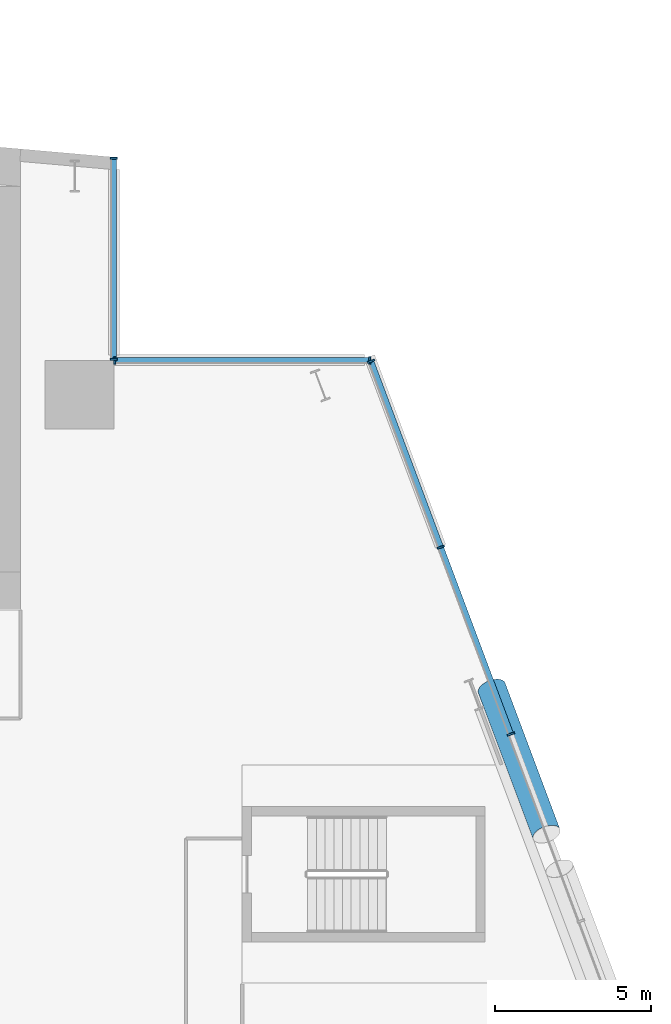
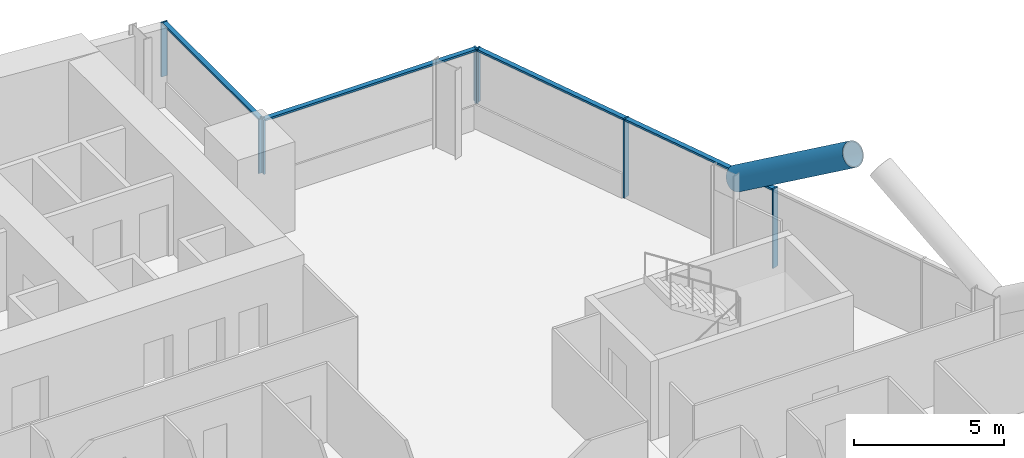
# One storey, part 10 of 28: 12 members, 3 elements without a shape of their own.
"""IFC4 building model written with IfcOpenShell, lengths in metres."""

import ifcopenshell
import ifcopenshell.guid

model = None  # the IFC model being written
_history = None  # IfcOwnerHistory: only IFC2X3 demands one
_inside = {}  # id of a spatial element -> (the spatial element, [elements in it])
_under = {}  # id of a project, library or spatial element -> (it, [spatial elements below it])
_declared = {}  # id of a project -> (the project, [libraries it declares])
_typed = {}  # id of a type object -> (the type object, [elements of that type])
_made_of = {}  # id of a material, layer set ... -> (it, [elements and type objects made of it])


def new_model(schema):
    """Start an empty IFC model of exactly this schema.

    Asked for "IFC4X3", IfcOpenShell would pick the latest addendum, in which some entities
    have other attributes; the version numbers below select the first issue.
    IFC2X3 requires an IfcOwnerHistory on every rooted entity: one is made here for all.
    """
    global model, _history
    if schema == "IFC4X3":
        model = ifcopenshell.file(schema_version=(4, 3, 0, 0))
    else:
        model = ifcopenshell.file(schema=schema)
    _inside.clear()
    _under.clear()
    _declared.clear()
    _typed.clear()
    _made_of.clear()
    _history = None
    if model.schema == "IFC2X3":
        org = make("IfcOrganization", Name="unknown")
        user = make(
            "IfcPersonAndOrganization",
            ThePerson=make("IfcPerson", FamilyName="unknown"),
            TheOrganization=org,
        )
        app = make(
            "IfcApplication",
            ApplicationDeveloper=org,
            Version="unknown",
            ApplicationFullName="unknown",
            ApplicationIdentifier="unknown",
        )
        _history = make(
            "IfcOwnerHistory",
            OwningUser=user,
            OwningApplication=app,
            ChangeAction="ADDED",
            CreationDate=0,
        )
    return model


def make(cls, **values):
    """One entity of the class cls with the attributes given. An attribute that is None is left unset."""
    return model.create_entity(
        cls, **{name: value for name, value in values.items() if value is not None}
    )


def rooted(cls, **values):
    """An entity with a GlobalId (a new one), such as an element, a storey or a relation."""
    return make(cls, GlobalId=ifcopenshell.guid.new(), OwnerHistory=_history, **values)


def si_unit(unit_type, name, prefix=None):
    """IfcSIUnit, for example si_unit("LENGTHUNIT", "METRE", prefix="MILLI")."""
    return make("IfcSIUnit", UnitType=unit_type, Prefix=prefix, Name=name)


def assignment(units):
    """IfcUnitAssignment: the units of a project."""
    return None if units is None else make("IfcUnitAssignment", Units=units)


def point(xyz):
    """IfcCartesianPoint."""
    return None if xyz is None else make("IfcCartesianPoint", Coordinates=xyz)


def direction(xyz):
    """IfcDirection."""
    return None if xyz is None else make("IfcDirection", DirectionRatios=xyz)


def frame(location, z_axis=None, x_axis=None):
    """IfcAxis2Placement3D, a coordinate frame: its origin and axes. An axis left out is left unset."""
    return make(
        "IfcAxis2Placement3D",
        Location=point(location),
        Axis=direction(z_axis),
        RefDirection=direction(x_axis),
    )


def frame_2d(location, x_axis=None):
    """IfcAxis2Placement2D, a coordinate frame in the plane: its origin and x axis."""
    return make(
        "IfcAxis2Placement2D", Location=point(location), RefDirection=direction(x_axis)
    )


def origin():
    """The frame at (0, 0, 0) with its axes left unset."""
    return frame((0.0, 0.0, 0.0))


def origin_2d():
    """The frame at (0, 0) in the plane with its x axis left unset."""
    return frame_2d((0.0, 0.0))


def place(relative_to, where):
    """IfcLocalPlacement: puts the frame where relative to a parent placement (None: the world)."""
    return make(
        "IfcLocalPlacement", PlacementRelTo=relative_to, RelativePlacement=where
    )


def context(
    kind, dimensions, precision=None, world=None, true_north=None, identifier=None
):
    """IfcGeometricRepresentationContext, for example the 3D "Model" context."""
    return make(
        "IfcGeometricRepresentationContext",
        ContextIdentifier=identifier,
        ContextType=kind,
        CoordinateSpaceDimension=dimensions,
        Precision=precision,
        WorldCoordinateSystem=world,
        TrueNorth=true_north,
    )


def subcontext(parent, identifier, kind, view, scale=None):
    """IfcGeometricRepresentationSubContext, for example "Body" below "Model"."""
    return make(
        "IfcGeometricRepresentationSubContext",
        ContextIdentifier=identifier,
        ContextType=kind,
        ParentContext=parent,
        TargetScale=scale,
        TargetView=view,
    )


def project(units=None, contexts=None):
    """IfcProject with its units and contexts."""
    return rooted(
        "IfcProject",
        Name="project",
        RepresentationContexts=contexts,
        UnitsInContext=assignment(units),
    )


def spatial(cls, under=None, at=None, **own):
    """A site, building, storey or space (cls), placed at a placement, below another one or the project."""
    s = rooted(cls, ObjectPlacement=at, **own)
    if under is not None:
        _under.setdefault(under.id(), (under, []))[1].append(s)
    return s


def profile(cls, at=None, kind="AREA", **sizes):
    """A parametric profile (cls). Its sizes go by their IFC names, for example OverallWidth=200.0."""
    return make(cls, ProfileType=kind, Position=at, **sizes)


def rectangle(**sizes):
    """IfcRectangleProfileDef."""
    return profile("IfcRectangleProfileDef", **sizes)


def hollow_circle(**sizes):
    """IfcCircleHollowProfileDef."""
    return profile("IfcCircleHollowProfileDef", **sizes)


def extrude(swept, where, along, depth):
    """IfcExtrudedAreaSolid: the profile swept, set in the frame where, extruded along a direction by depth."""
    return make(
        "IfcExtrudedAreaSolid",
        SweptArea=swept,
        Position=where,
        ExtrudedDirection=direction(along),
        Depth=depth,
    )


def shape(context_of_items, identifier, shape_type, items):
    """IfcShapeRepresentation: the items that make up one representation, for example the "Body"."""
    return make(
        "IfcShapeRepresentation",
        ContextOfItems=context_of_items,
        RepresentationIdentifier=identifier,
        RepresentationType=shape_type,
        Items=items,
    )


def material(Name=None, Category=None):
    """IfcMaterial."""
    return make("IfcMaterial", Name=Name, Category=Category)


def material_profile(
    of_material, cross_section, Name=None, Category=None, Priority=None
):
    """IfcMaterialProfile: a cross section and its material."""
    return make(
        "IfcMaterialProfile",
        Name=Name,
        Material=of_material,
        Profile=cross_section,
        Priority=Priority,
        Category=Category,
    )


def profile_set(profiles, Name=None, composite=None):
    """IfcMaterialProfileSet."""
    return make(
        "IfcMaterialProfileSet",
        Name=Name,
        MaterialProfiles=profiles,
        CompositeProfile=composite,
    )


def made_of(thing, what):
    """Note that an element or type object is made of a material, layer set ...; save() writes the relation."""
    if what is not None:
        _made_of.setdefault(what.id(), (what, []))[1].append(thing)
    return thing


def type_object(cls, material=None, **own):
    """A type object (cls), such as IfcWallType, which elements share."""
    return made_of(rooted(cls, **own), material)


def element(
    cls,
    number,
    at=None,
    inside=None,
    cuts=None,
    type_object=None,
    material=None,
    context=None,
    identifier="Body",
    shape_type=None,
    held_by="IfcProductDefinitionShape",
    body=None,
    shapes=None,
    **own,
):
    """One element of the class cls, such as IfcWall. Its Tag is "e" and its number.

    at: its placement. inside: the storey or other place that contains it. cuts: it is an
    opening in that element (IfcRelVoidsElement). A single representation is given by context,
    identifier, shape_type and body (its items); several are given by shapes. held_by: the class
    of the entity that holds the representations. save() writes the other relations.
    """
    e = rooted(cls, Tag="e%d" % number, ObjectPlacement=at, **own)
    if body is not None:
        shapes = [shape(context, identifier, shape_type, body)]
    if shapes is not None:
        e.Representation = make(held_by, Representations=shapes)
    if inside is not None:
        _inside.setdefault(inside.id(), (inside, []))[1].append(e)
    if cuts is not None:
        rooted(
            "IfcRelVoidsElement", RelatingBuildingElement=cuts, RelatedOpeningElement=e
        )
    if type_object is not None:
        _typed.setdefault(type_object.id(), (type_object, []))[1].append(e)
    return made_of(e, material)


def aggregate(whole, parts):
    """IfcRelAggregates: a whole, such as a stair, and the parts it consists of."""
    return rooted("IfcRelAggregates", RelatingObject=whole, RelatedObjects=parts)


def save(model, path):
    """Write the relations noted so far, then the file.

    IfcRelAggregates (storeys below a building ...), IfcRelContainedInSpatialStructure (elements
    in a storey), IfcRelDefinesByType, IfcRelAssociatesMaterial and IfcRelDeclares: one each for
    every whole, place, type object, material and project.
    """
    for whole, parts in _under.values():
        aggregate(whole, parts)
    for where, things in _inside.values():
        rooted(
            "IfcRelContainedInSpatialStructure",
            RelatedElements=things,
            RelatingStructure=where,
        )
    for kind, things in _typed.values():
        rooted("IfcRelDefinesByType", RelatedObjects=things, RelatingType=kind)
    for what, things in _made_of.values():
        rooted("IfcRelAssociatesMaterial", RelatedObjects=things, RelatingMaterial=what)
    for by, libraries in _declared.values():
        rooted("IfcRelDeclares", RelatingContext=by, RelatedDefinitions=libraries)
    model.write(path)


model = new_model("IFC4")

# Units and contexts
model_context = context("Model", 3, precision=1e-05, world=origin(), true_north=direction((0.0, 1.0)))
body_context = subcontext(model_context, "Body", "Model", "MODEL_VIEW")
ifc_project = project(units=[si_unit("LENGTHUNIT", "METRE"), si_unit("AREAUNIT", "SQUARE_METRE"), si_unit("VOLUMEUNIT", "CUBIC_METRE"), si_unit("PLANEANGLEUNIT", "RADIAN"), si_unit("MASSUNIT", "GRAM", prefix="KILO")], contexts=[model_context])

# Site, building, storey
site_placement = place(None, origin())
site = spatial("IfcSite", under=ifc_project, at=site_placement, CompositionType="ELEMENT")
building_placement = place(site_placement, origin())
building = spatial("IfcBuilding", under=site, at=building_placement, Name="Wharfspan Tower", CompositionType="ELEMENT")
storey_placement = place(building_placement, frame((0.0, 0.0, 59.5)))
storey = spatial("IfcBuildingStorey", under=building, at=storey_placement, Name="L11", CompositionType="ELEMENT", Elevation=59.5)

# Curtain wall, members
ifc_material_1 = material(Name="Aluminium 6063-T6", Category="aluminium")
curtain_wall_type = type_object("IfcCurtainWallType", Name="CURTAIN WALL PROW AND END", PredefinedType="NOTDEFINED", material=ifc_material_1)
curtain_wall_1_placement = place(storey_placement, origin())
curtain_wall_1 = element("IfcCurtainWall", 1, at=curtain_wall_1_placement, inside=storey, type_object=curtain_wall_type, Name="Curtain wall E", PredefinedType="NOTDEFINED")
ifc_material_profile_1 = material_profile(ifc_material_1, rectangle(XDim=0.23999, YDim=0.060059, at=origin_2d()))
ifc_profile_set_1 = profile_set([ifc_material_profile_1], Name="Aluminium 6063-T6")
member_type_1 = type_object("IfcMemberType", Name="MULLION PROW AND END 60x240", PredefinedType="MULLION", material=ifc_profile_set_1)
member_1_placement = place(storey_placement, frame((80.75, 30.0, 0.0), z_axis=(0.0, 0.0, 1.0), x_axis=(-0.936328, -0.351123, 0.0)))
member_1 = element("IfcMember", 2, at=member_1_placement, type_object=member_type_1, Name="Curtain wall E mullion 6", PredefinedType="MULLION", context=body_context, shape_type="SweptSolid", body=[
    extrude(rectangle(XDim=0.23999, YDim=0.060059, at=origin_2d()), origin(), (0.0, 0.0, 1.0), 3.199951),
])
member_2_placement = place(storey_placement, frame((78.5, 36.0, 0.0), z_axis=(0.0, 0.0, 1.0), x_axis=(-0.936328, -0.351123, 0.0)))
member_2 = element("IfcMember", 3, at=member_2_placement, type_object=member_type_1, Name="Curtain wall E mullion 7", PredefinedType="MULLION", context=body_context, shape_type="SweptSolid", body=[
    extrude(rectangle(XDim=0.23999, YDim=0.060059, at=origin_2d()), origin(), (0.0, 0.0, 1.0), 3.199951),
])
member_3_placement = place(storey_placement, frame((76.260498, 41.971924, 1.0), z_axis=(0.0, 0.0, 1.0), x_axis=(-0.936328, -0.351123, 0.0)))
member_3 = element("IfcMember", 4, at=member_3_placement, type_object=member_type_1, Name="Curtain wall E mullion 8", PredefinedType="MULLION", context=body_context, shape_type="SweptSolid", body=[
    extrude(rectangle(XDim=0.23999, YDim=0.060059, at=origin_2d()), origin(), (0.0, 0.0, 1.0), 2.199951),
])

curtain_wall_2_placement = place(storey_placement, origin())
curtain_wall_2 = element("IfcCurtainWall", 5, at=curtain_wall_2_placement, inside=storey, type_object=curtain_wall_type, Name="Curtain wall NRE-H", PredefinedType="NOTDEFINED")
member_4_placement = place(storey_placement, frame((76.219971, 42.0, 1.0), z_axis=(0.0, 0.0, 1.0), x_axis=(0.0, -1.0, 0.0)))
member_4 = element("IfcMember", 6, at=member_4_placement, type_object=member_type_1, Name="Curtain wall NRE-H mullion 1", PredefinedType="MULLION", context=body_context, shape_type="SweptSolid", body=[
    extrude(rectangle(XDim=0.23999, YDim=0.060059, at=origin_2d()), origin(), (0.0, 0.0, 1.0), 2.199951),
])
member_5_placement = place(storey_placement, frame((68.030029, 42.0, 1.0), z_axis=(0.0, 0.0, 1.0), x_axis=(0.0, -1.0, 0.0)))
member_5 = element("IfcMember", 7, at=member_5_placement, type_object=member_type_1, Name="Curtain wall NRE-H mullion 2", PredefinedType="MULLION", context=body_context, shape_type="SweptSolid", body=[
    extrude(rectangle(XDim=0.23999, YDim=0.060059, at=origin_2d()), origin(), (0.0, 0.0, 1.0), 2.199951),
])

curtain_wall_3_placement = place(storey_placement, origin())
curtain_wall_3 = element("IfcCurtainWall", 8, at=curtain_wall_3_placement, inside=storey, type_object=curtain_wall_type, Name="Curtain wall NRE-V", PredefinedType="NOTDEFINED")
member_6_placement = place(storey_placement, frame((68.0, 42.030029, 1.0), z_axis=(0.0, 0.0, 1.0), x_axis=(-1.0, 0.0, 0.0)))
member_6 = element("IfcMember", 9, at=member_6_placement, type_object=member_type_1, Name="Curtain wall NRE-V mullion 1", PredefinedType="MULLION", context=body_context, shape_type="SweptSolid", body=[
    extrude(rectangle(XDim=0.23999, YDim=0.060059, at=origin_2d()), origin(), (0.0, 0.0, 1.0), 2.199951),
])
member_7_placement = place(storey_placement, frame((68.0, 48.494873, 1.0), z_axis=(0.0, 0.0, 1.0), x_axis=(-1.0, 0.0, 0.0)))
member_7 = element("IfcMember", 10, at=member_7_placement, type_object=member_type_1, Name="Curtain wall NRE-V mullion 2", PredefinedType="MULLION", context=body_context, shape_type="SweptSolid", body=[
    extrude(rectangle(XDim=0.23999, YDim=0.060059, at=origin_2d()), origin(), (0.0, 0.0, 1.0), 2.199951),
])

# Member
ifc_material_2 = material(Name="Steel S460NH", Category="steel")
ifc_material_profile_2 = material_profile(ifc_material_2, hollow_circle(Radius=0.457031, WallThickness=0.040039, at=origin_2d()))
ifc_profile_set_2 = profile_set([ifc_material_profile_2], Name="Steel S460NH")
member_type_2 = type_object("IfcMemberType", Name="Mega brace CHS 914x40", PredefinedType="BRACE", material=ifc_profile_set_2)
member_8_placement = place(storey_placement, frame((80.135986, 31.480713, 2.899902), z_axis=(0.295459, -0.787904, 0.540288), x_axis=(0.936328, 0.351115, -3e-06)))
element("IfcMember", 11, at=member_8_placement, inside=storey, type_object=member_type_2, Name="Mega brace E6 L12 part 3", PredefinedType="BRACE", context=body_context, shape_type="SweptSolid", body=[
    extrude(hollow_circle(Radius=0.457031, WallThickness=0.040039, at=origin_2d()), origin(), (0.0, 0.0, 1.0), 5.955322),
])

ifc_material_profile_3 = material_profile(ifc_material_1, rectangle(XDim=0.179932, YDim=0.080078, at=origin_2d()))
ifc_profile_set_3 = profile_set([ifc_material_profile_3], Name="Aluminium 6063-T6")
member_type_3 = type_object("IfcMemberType", Name="TRANSOM PROW AND END 80x180", PredefinedType="USERDEFINED", material=ifc_profile_set_3)
member_9_placement = place(storey_placement, frame((80.739502, 30.028076, 3.159912), z_axis=(-0.351132, 0.936326, 0.0), x_axis=(-0.936326, -0.351132, 0.0)))
member_9 = element("IfcMember", 12, at=member_9_placement, type_object=member_type_3, Name="Curtain wall E transom 6", ObjectType="TRANSOM", PredefinedType="USERDEFINED", context=body_context, shape_type="SweptSolid", body=[
    extrude(rectangle(XDim=0.179932, YDim=0.080078, at=origin_2d()), origin(), (0.0, 0.0, 1.0), 6.348145),
])

member_10_placement = place(storey_placement, frame((78.489502, 36.028076, 3.159912), z_axis=(-0.351136, 0.936324, 0.0), x_axis=(-0.936324, -0.351136, 0.0)))
member_10 = element("IfcMember", 13, at=member_10_placement, type_object=member_type_3, Name="Curtain wall E transom 7", ObjectType="TRANSOM", PredefinedType="USERDEFINED", context=body_context, shape_type="SweptSolid", body=[
    extrude(rectangle(XDim=0.179932, YDim=0.080078, at=origin_2d()), origin(), (0.0, 0.0, 1.0), 6.318115),
])

aggregate(curtain_wall_1, [member_1, member_2, member_3, member_9, member_10])

member_11_placement = place(storey_placement, frame((76.189941, 42.0, 3.159912), z_axis=(-1.0, 0.0, 0.0), x_axis=(0.0, -1.0, 0.0)))
member_11 = element("IfcMember", 14, at=member_11_placement, type_object=member_type_3, Name="Curtain wall NRE-H transom 1", ObjectType="TRANSOM", PredefinedType="USERDEFINED", context=body_context, shape_type="SweptSolid", body=[
    extrude(rectangle(XDim=0.179932, YDim=0.080078, at=origin_2d()), origin(), (0.0, 0.0, 1.0), 8.129883),
])

aggregate(curtain_wall_2, [member_4, member_5, member_11])

member_12_placement = place(storey_placement, frame((68.0, 42.060059, 3.159912), z_axis=(0.0, 1.0, 0.0), x_axis=(-1.0, 0.0, 0.0)))
member_12 = element("IfcMember", 15, at=member_12_placement, type_object=member_type_3, Name="Curtain wall NRE-V transom 1", ObjectType="TRANSOM", PredefinedType="USERDEFINED", context=body_context, shape_type="SweptSolid", body=[
    extrude(rectangle(XDim=0.179932, YDim=0.080078, at=origin_2d()), origin(), (0.0, 0.0, 1.0), 6.404785),
])

aggregate(curtain_wall_3, [member_6, member_7, member_12])

save(model, "model.ifc")
